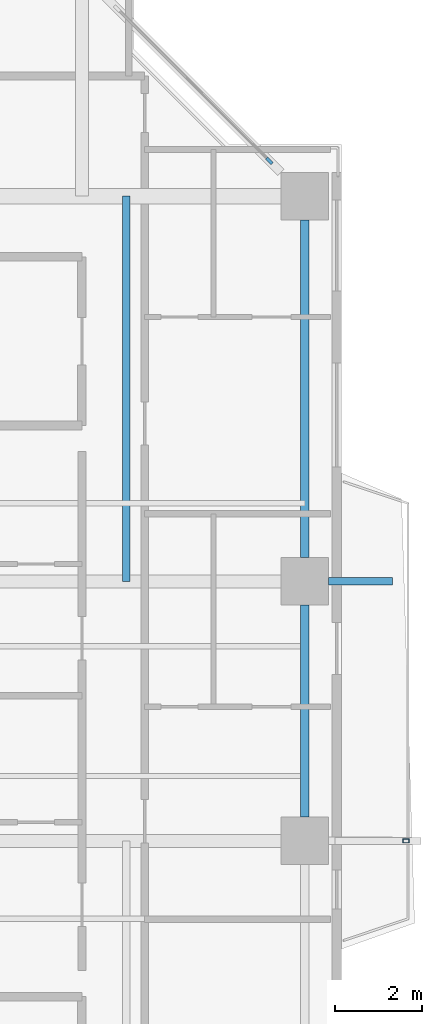
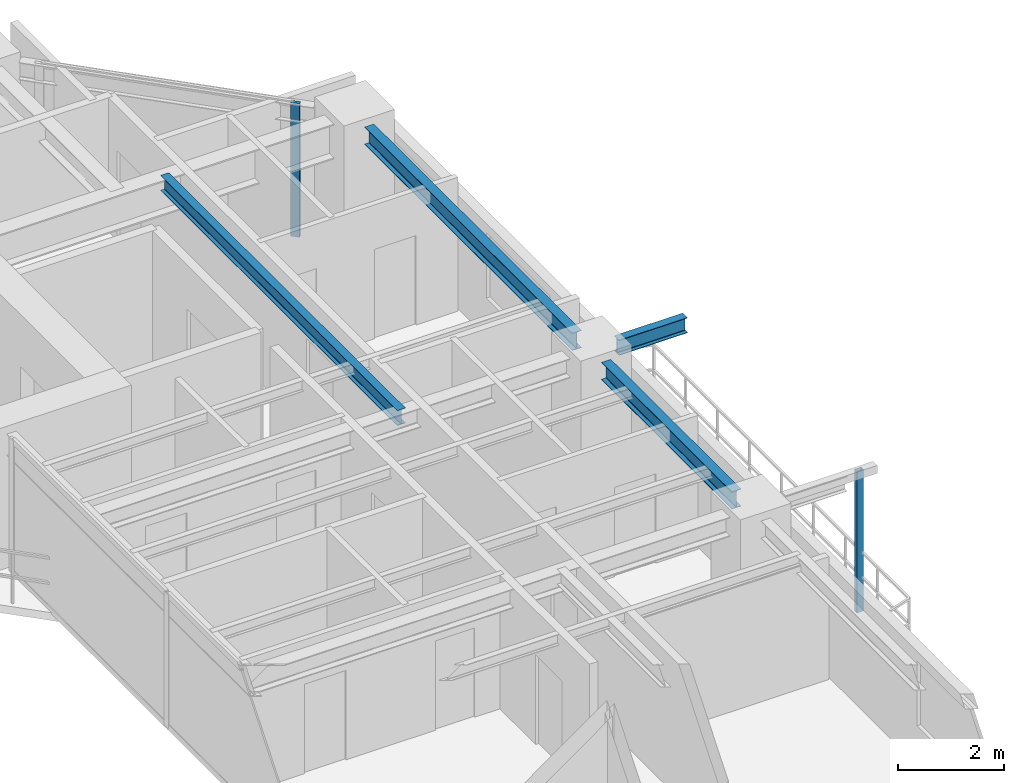
# One storey, part 7 of 17: 4 beams, 2 members, 1 element without a shape of its own.
"""IFC4 building model written with IfcOpenShell, lengths in metres."""

from ifc_helpers import new_model, si_unit, direction, frame, origin, origin_2d, place, context, subcontext, project, spatial, rectangle, hollow_rectangle, i_section, extrude, source, transform, mapped, material, layer, layer_set, material_profile, profile_set, type_object, element, aggregate, save


model = new_model("IFC4")

# Units and contexts
model_context = context("Model", 3, precision=1e-05, world=origin(), true_north=direction((0.0, 1.0)))
body_context = subcontext(model_context, "Body", "Model", "MODEL_VIEW")
ifc_project = project(units=[si_unit("LENGTHUNIT", "METRE"), si_unit("AREAUNIT", "SQUARE_METRE"), si_unit("VOLUMEUNIT", "CUBIC_METRE"), si_unit("PLANEANGLEUNIT", "RADIAN"), si_unit("MASSUNIT", "GRAM", prefix="KILO"), si_unit("THERMODYNAMICTEMPERATUREUNIT", "KELVIN"), si_unit("POWERUNIT", "WATT")], contexts=[model_context])

# Site, building, storey
site_placement = place(None, origin())
site = spatial("IfcSite", under=ifc_project, at=site_placement, CompositionType="ELEMENT")
building_placement = place(site_placement, origin())
building = spatial("IfcBuilding", under=site, at=building_placement, Name="Qiaomeng Ring Towers", CompositionType="ELEMENT")
storey_placement = place(building_placement, frame((0.0, 0.0, 126.25)))
storey = spatial("IfcBuildingStorey", under=building, at=storey_placement, Name="L36", CompositionType="ELEMENT", Elevation=126.25)

# Beams
ifc_material_1 = material(Name="Steel Q355B", Category="steel")
ifc_material_profile_1 = material_profile(ifc_material_1, i_section(OverallWidth=0.175048828125, OverallDepth=0.35009765625, WebThickness=0.007080078125, FlangeThickness=0.010986328125, FilletRadius=0.013916015625, at=origin_2d()), Name="HN 350x175x7x11")
ifc_profile_set_1 = profile_set([ifc_material_profile_1], Name="Steel Q355B")
beam_type_1 = type_object("IfcBeamType", Name="STR-BM-HN350", PredefinedType="JOIST", material=ifc_profile_set_1)
shared_shape_1 = source(origin(), body_context, "Body", "SweptSolid", [
    extrude(i_section(OverallWidth=0.175048828125, OverallDepth=0.35009765625, WebThickness=0.007080078125, FlangeThickness=0.010986328125, FilletRadius=0.013916015625, at=origin_2d()), origin(), (0.0, 0.0, 1.0), 1.48095703125),
])
beam_1_placement = place(storey_placement, frame((36.59912109375, 26.0, 2.89501953125), z_axis=(1.0, 0.0, 0.0), x_axis=(0.0, 1.0, 0.0)))
element("IfcBeam", 1, at=beam_1_placement, inside=storey, type_object=beam_type_1, Name="L36 beam STR-BALBM-L36-E3", PredefinedType="JOIST", context=body_context, shape_type="MappedRepresentation", body=[
    mapped(shared_shape_1, transform((0.0, 0.0, 0.0), x_axis=(1.0, 0.0, 0.0), y_axis=(0.0, 1.0, 0.0), z_axis=(0.0, 0.0, 1.0), scale=1.0)),
])
ifc_material_profile_2 = material_profile(ifc_material_1, i_section(OverallWidth=0.199951171875, OverallDepth=0.39990234375, WebThickness=0.008056640625, FlangeThickness=0.012939453125, FilletRadius=0.01611328125, at=origin_2d()), Name="HN 400x200x8x13")
ifc_profile_set_2 = profile_set([ifc_material_profile_2], Name="Steel Q355B")
beam_type_2 = type_object("IfcBeamType", Name="STR-BM-HN400", PredefinedType="SPANDREL", material=ifc_profile_set_2)
shared_shape_2 = source(origin(), body_context, "Body", "SweptSolid", [
    extrude(i_section(OverallWidth=0.199951171875, OverallDepth=0.39990234375, WebThickness=0.008056640625, FlangeThickness=0.012939453125, FilletRadius=0.01611328125, at=origin_2d()), origin(), (0.0, 0.0, 1.0), 7.802001953125),
])
beam_2_placement = place(storey_placement, frame((36.050048828125, 26.549072265625, 2.8701171875), z_axis=(0.0, 1.0, 0.0), x_axis=(-1.0, 0.0, 0.0)))
element("IfcBeam", 2, at=beam_2_placement, inside=storey, type_object=beam_type_2, Name="L36 beam STR-SP-L36-T1-E3-E4", PredefinedType="SPANDREL", context=body_context, shape_type="MappedRepresentation", body=[
    mapped(shared_shape_2, transform((0.0, 0.0, 0.0), x_axis=(1.0, 0.0, 0.0), y_axis=(0.0, 1.0, 0.0), z_axis=(0.0, 0.0, 1.0), scale=1.0)),
])
shared_shape_3 = source(origin(), body_context, "Body", "SweptSolid", [
    extrude(i_section(OverallWidth=0.199951171875, OverallDepth=0.39990234375, WebThickness=0.008056640625, FlangeThickness=0.012939453125, FilletRadius=0.01611328125, at=origin_2d()), origin(), (0.0, 0.0, 1.0), 4.90185546875),
])
beam_3_placement = place(storey_placement, frame((36.050048828125, 20.549072265625, 2.8701171875), z_axis=(0.0, 1.0, 0.0), x_axis=(-1.0, 0.0, 0.0)))
element("IfcBeam", 3, at=beam_3_placement, inside=storey, type_object=beam_type_2, Name="L36 beam STR-SP-L36-T1-E2-E3", PredefinedType="SPANDREL", context=body_context, shape_type="MappedRepresentation", body=[
    mapped(shared_shape_3, transform((0.0, 0.0, 0.0), x_axis=(1.0, 0.0, 0.0), y_axis=(0.0, 1.0, 0.0), z_axis=(0.0, 0.0, 1.0), scale=1.0)),
])
shared_shape_4 = source(origin(), body_context, "Body", "SweptSolid", [
    extrude(i_section(OverallWidth=0.175048828125, OverallDepth=0.35009765625, WebThickness=0.007080078125, FlangeThickness=0.010986328125, FilletRadius=0.013916015625, at=origin_2d()), origin(), (0.0, 0.0, 1.0), 8.89990234375),
])
beam_4_placement = place(storey_placement, frame((31.925048828125, 26.0, 2.89501953125), z_axis=(0.0, 1.0, 0.0), x_axis=(-1.0, 0.0, 0.0)))
element("IfcBeam", 4, at=beam_4_placement, inside=storey, type_object=beam_type_1, Name="L36 beam STR-JST-L36-T1C-EN", PredefinedType="JOIST", context=body_context, shape_type="MappedRepresentation", body=[
    mapped(shared_shape_4, transform((0.0, 0.0, 0.0), x_axis=(1.0, 0.0, 0.0), y_axis=(0.0, 1.0, 0.0), z_axis=(0.0, 0.0, 1.0), scale=1.0)),
])

# Curtain wall, member
ifc_material_2 = material(Name="Fluorocarbon dark-grey aluminium", Category="aluminium")
ifc_layer = layer(ifc_material_2, 0.14990234375, Name="Fluorocarbon dark-grey aluminium")
ifc_layer_set = layer_set([ifc_layer], Name="Fluorocarbon dark-grey aluminium")
curtain_wall_type = type_object("IfcCurtainWallType", Name="ARC-CW-3", PredefinedType="NOTDEFINED", material=ifc_layer_set)
curtain_wall_placement = place(storey_placement, origin())
curtain_wall = element("IfcCurtainWall", 5, at=curtain_wall_placement, inside=storey, type_object=curtain_wall_type, Name="L36 Curtain Wall CW3", PredefinedType="NOTDEFINED")
ifc_material_profile_3 = material_profile(ifc_material_2, rectangle(XDim=0.070068359375, YDim=0.179931640625, at=origin_2d()), Name="ALU MULL 70x180")
ifc_profile_set_3 = profile_set([ifc_material_profile_3], Name="Fluorocarbon dark-grey aluminium")
member_type_1 = type_object("IfcMemberType", Name="ARC-CWM-160", PredefinedType="MULLION", material=ifc_profile_set_3)
shared_shape_5 = source(origin(), body_context, "Body", "SweptSolid", [
    extrude(rectangle(XDim=0.070068359375, YDim=0.179931640625, at=origin_2d()), origin(), (0.0, 0.0, 1.0), 3.070068359375),
])
member_1_placement = place(storey_placement, frame((35.2353515625, 35.71484375, 0.0), z_axis=(0.0, 0.0, 1.0), x_axis=(-0.707106781187, -0.707106781187, 0.0)))
member_1 = element("IfcMember", 6, at=member_1_placement, type_object=member_type_1, Name="CW3 mullion 1", PredefinedType="MULLION", context=body_context, shape_type="MappedRepresentation", body=[
    mapped(shared_shape_5, transform((0.0, 0.0, 0.0), x_axis=(1.0, 0.0, 0.0), y_axis=(0.0, 1.0, 0.0), z_axis=(0.0, 0.0, 1.0), scale=1.0)),
])
aggregate(curtain_wall, [member_1])

# Member
ifc_material_3 = material(Name="Stainless steel 316", Category="steel")
ifc_material_profile_4 = material_profile(ifc_material_3, hollow_rectangle(XDim=0.090087890625, YDim=0.139892578125, WallThickness=0.0048828125, at=origin_2d()), Name="SS TRELLIS 90x140")
ifc_profile_set_4 = profile_set([ifc_material_profile_4], Name="Stainless steel 316")
member_type_2 = type_object("IfcMemberType", Name="ARC-TR-POST1", PredefinedType="STUD", material=ifc_profile_set_4)
shared_shape_6 = source(origin(), body_context, "Body", "SweptSolid", [
    extrude(hollow_rectangle(XDim=0.090087890625, YDim=0.139892578125, WallThickness=0.0048828125, at=origin_2d()), origin(), (0.0, 0.0, 1.0), 3.25),
])
member_2_placement = place(storey_placement, frame((38.389892578125, 20.0, -0.179931640625), z_axis=(0.0, 0.0, 1.0), x_axis=(0.0, 1.0, 0.0)))
element("IfcMember", 7, at=member_2_placement, inside=storey, type_object=member_type_2, Name="L36 Outer Ventilated Trellis Post E", PredefinedType="STUD", context=body_context, shape_type="MappedRepresentation", body=[
    mapped(shared_shape_6, transform((0.0, 0.0, 0.0), x_axis=(1.0, 0.0, 0.0), y_axis=(0.0, 1.0, 0.0), z_axis=(0.0, 0.0, 1.0), scale=1.0)),
])

save(model, "model.ifc")
